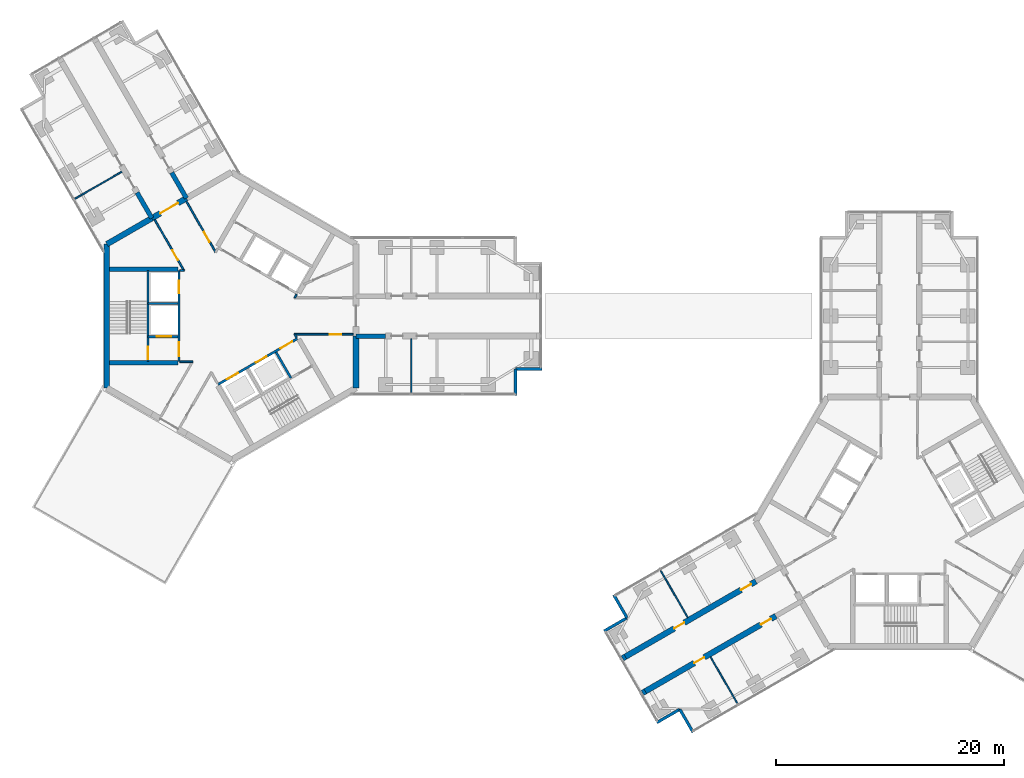
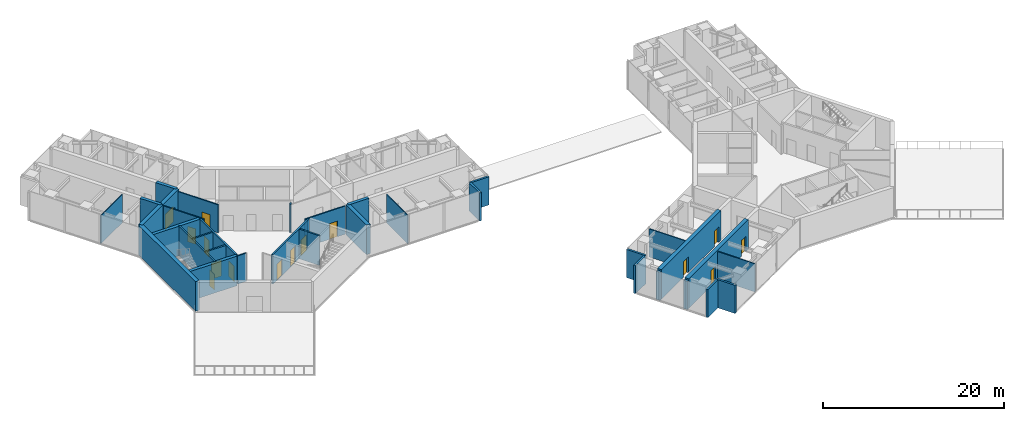
# One storey, part 12 of 18: 36 walls, 15 doors, 15 openings.
"""IFC4 building model written with IfcOpenShell, lengths in metres."""

from ifc_helpers import new_model, si_unit, direction, frame, frame_2d, origin, place, context, subcontext, project, spatial, rectangle, extrude, material, layer, layer_set, type_object, element, fill, save


model = new_model("IFC4")

# Units and contexts
model_context = context("Model", 3, precision=1e-05, world=origin(), true_north=direction((0.0, 1.0)))
body_context = subcontext(model_context, "Body", "Model", "MODEL_VIEW")
ifc_project = project(units=[si_unit("LENGTHUNIT", "METRE"), si_unit("AREAUNIT", "SQUARE_METRE"), si_unit("VOLUMEUNIT", "CUBIC_METRE"), si_unit("PLANEANGLEUNIT", "RADIAN"), si_unit("MASSUNIT", "GRAM", prefix="KILO")], contexts=[model_context])

# Site, building, storey
site_placement = place(None, origin())
site = spatial("IfcSite", under=ifc_project, at=site_placement, CompositionType="ELEMENT")
building_placement = place(site_placement, origin())
building = spatial("IfcBuilding", under=site, at=building_placement, Name="Upepo Twin Towers", CompositionType="ELEMENT")
storey_placement = place(building_placement, frame((0.0, 0.0, 170.5)))
storey = spatial("IfcBuildingStorey", under=building, at=storey_placement, Name="L41", CompositionType="ELEMENT", Elevation=170.5)

# Walls
ifc_material_1 = material(Name="Dense concrete blockwork", Category="masonry")
ifc_layer_1 = layer(ifc_material_1, 0.5)
ifc_layer_set_1 = layer_set([ifc_layer_1], Name="Buttress closer 500, blockwork with fire-stopping to the curtain wall")
wall_type_1 = type_object("IfcWallType", Name="Buttress closer 500, blockwork with fire-stopping to the curtain wall", PredefinedType="PARTITIONING", material=ifc_layer_set_1)
for number, where, z_axis, x_axis, name in (
    (1, (36.252197265625, -32.865478515625, 0.0), (0.0, 0.0, 1.0), (-0.86598763626, -0.500065409566, 0.0), "T2 L41 wing B buttress closer L"),
    (2, (34.502197265625, -29.83447265625, 0.0), (0.0, 0.0, 1.0), (-0.86598763626, -0.500065409566, 0.0), "T2 L41 wing B buttress closer R"),
):
    element("IfcWall", number, at=place(storey_placement, frame(where, z_axis=z_axis, x_axis=x_axis)), inside=storey, type_object=wall_type_1, Name=name, PredefinedType="PARTITIONING", context=body_context, shape_type="SweptSolid", body=[
        extrude(rectangle(XDim=0.28759765625, YDim=0.5, at=frame_2d((0.143798828125, 0.0))), origin(), (0.0, 0.0, 1.0), 3.800048828125),
    ])
ifc_material_2 = material(Name="Concrete C60/75", Category="concrete")
ifc_layer_2 = layer(ifc_material_2, 0.39990234375)
ifc_layer_set_2 = layer_set([ifc_layer_2], Name="Concrete C60/75")
wall_type_2 = type_object("IfcWallType", Name="Buttress wall 400 RC", PredefinedType="SHEAR", material=ifc_layer_set_2)
wall_1_placement = place(storey_placement, frame((10.908447265625, -1.75, 0.0), z_axis=(0.0, 0.0, 1.0), x_axis=(1.0, 0.0, 0.0)))
element("IfcWall", 3, at=wall_1_placement, inside=storey, type_object=wall_type_2, Name="T1 wing A buttress wall R", PredefinedType="SHEAR", context=body_context, shape_type="SweptSolid", body=[
    extrude(rectangle(XDim=2.591552734375, YDim=0.39990234375, at=frame_2d((1.2958984375, 0.0))), origin(), (0.0, 0.0, 1.0), 4.0),
])
for number, where, z_axis, x_axis, name in (
    (4, (-6.9697265625, 8.57177734375, 0.0), (0.0, 0.0, 1.0), (-0.499988811324, 0.866031863473, 0.0), "T1 wing B buttress wall L"),
    (5, (-3.938720703125, 10.32177734375, 0.0), (0.0, 0.0, 1.0), (-0.499918158782, 0.866072649678, 0.0), "T1 wing B buttress wall R"),
):
    element("IfcWall", number, at=place(storey_placement, frame(where, z_axis=z_axis, x_axis=x_axis)), inside=storey, type_object=wall_type_2, Name=name, PredefinedType="SHEAR", context=body_context, shape_type="SweptSolid", body=[
        extrude(rectangle(XDim=2.591796875, YDim=0.39990234375, at=frame_2d((1.2958984375, 0.0))), origin(), (0.0, 0.0, 1.0), 4.0),
    ])

# Wall, openings, doors
ifc_material_3 = material(Name="Concrete C60/75", Category="concrete")
ifc_layer_3 = layer(ifc_material_3, 0.5)
ifc_layer_set_3 = layer_set([ifc_layer_3], Name="Concrete C60/75")
wall_type_3 = type_object("IfcWallType", Name="Buttress wall 500 RC", PredefinedType="SHEAR", material=ifc_layer_set_3)
wall_2_placement = place(storey_placement, frame((47.68359375, -26.265625, 0.0), z_axis=(0.0, 0.0, 1.0), x_axis=(-0.866027579429, -0.499996231654, 0.0)))
wall_2 = element("IfcWall", 6, at=wall_2_placement, inside=storey, type_object=wall_type_3, Name="T2 wing B buttress wall L part 2", PredefinedType="SHEAR", context=body_context, shape_type="SweptSolid", body=[
    extrude(rectangle(XDim=13.19970703125, YDim=0.5, at=frame_2d((6.599853515625, 0.0))), origin(), (0.0, 0.0, 1.0), 4.0),
])
opening_1_placement = place(wall_2_placement, frame((0.5, 0.0, 0.0)))
opening_1 = element("IfcOpeningElement", 7, at=opening_1_placement, cuts=wall_2, Name="Opening D15", PredefinedType="OPENING", context=body_context, shape_type="SweptSolid", body=[
    extrude(rectangle(XDim=1.0, YDim=2.10009765625, at=frame_2d((0.5, 1.050048828125))), frame((0.0, 0.260009765625, 0.0), z_axis=(0.0, -1.0, 0.0), x_axis=(1.0, 0.0, 0.0)), (0.0, 0.0, 1.0), 0.52001953125),
])
opening_2_placement = place(wall_2_placement, frame((7.25, 0.0, 0.0)))
opening_2 = element("IfcOpeningElement", 8, at=opening_2_placement, cuts=wall_2, Name="Opening D15", PredefinedType="OPENING", context=body_context, shape_type="SweptSolid", body=[
    extrude(rectangle(XDim=1.0, YDim=2.10009765625, at=frame_2d((0.5, 1.050048828125))), frame((0.0, 0.260009765625, 0.0), z_axis=(0.0, -1.0, 0.0), x_axis=(1.0, 0.0, 0.0)), (0.0, 0.0, 1.0), 0.52001953125),
])
ifc_material_4 = material(Name="Timber doorset", Category="wood")
door_type_1 = type_object("IfcDoorType", Name="Glazed door 1000 FD30", OperationType="SINGLE_SWING_LEFT", PredefinedType="DOOR", material=ifc_material_4)
door_1_placement = place(opening_1_placement, origin())
door_1 = element("IfcDoor", 9, at=door_1_placement, inside=storey, type_object=door_type_1, Name="T2 L41 postgraduate research office door", OperationType="SINGLE_SWING_LEFT", OverallHeight=2.10009765625, OverallWidth=1.0, PredefinedType="DOOR", context=body_context, shape_type="SweptSolid", body=[
    extrude(rectangle(XDim=1.0, YDim=2.10009765625, at=frame_2d((0.5, 1.050048828125))), frame((0.0, 0.02490234375, 0.0), z_axis=(0.0, -1.0, 0.0), x_axis=(1.0, 0.0, 0.0)), (0.0, 0.0, 1.0), 0.050048828125),
])
fill(opening_1, door_1)
door_2_placement = place(opening_2_placement, origin())
door_2 = element("IfcDoor", 10, at=door_2_placement, inside=storey, type_object=door_type_1, Name="T2 L41 faculty office door", OperationType="SINGLE_SWING_RIGHT", OverallHeight=2.10009765625, OverallWidth=1.0, PredefinedType="DOOR", context=body_context, shape_type="SweptSolid", body=[
    extrude(rectangle(XDim=1.0, YDim=2.10009765625, at=frame_2d((0.5, 1.050048828125))), frame((0.0, 0.02490234375, 0.0), z_axis=(0.0, -1.0, 0.0), x_axis=(1.0, 0.0, 0.0)), (0.0, 0.0, 1.0), 0.050048828125),
])
fill(opening_2, door_2)

wall_3_placement = place(storey_placement, frame((45.93359375, -23.234375, 0.0), z_axis=(0.0, 0.0, 1.0), x_axis=(-0.866019570528, -0.500010103361, 0.0)))
wall_3 = element("IfcWall", 11, at=wall_3_placement, inside=storey, type_object=wall_type_3, Name="T2 wing B buttress wall R part 2", PredefinedType="SHEAR", context=body_context, shape_type="SweptSolid", body=[
    extrude(rectangle(XDim=13.199951171875, YDim=0.5, at=frame_2d((6.60009765625, 0.0))), origin(), (0.0, 0.0, 1.0), 4.0),
])
opening_3_placement = place(wall_3_placement, frame((0.5, 0.0, 0.0)))
opening_3 = element("IfcOpeningElement", 12, at=opening_3_placement, cuts=wall_3, Name="Opening D15", PredefinedType="OPENING", context=body_context, shape_type="SweptSolid", body=[
    extrude(rectangle(XDim=1.0, YDim=2.10009765625, at=frame_2d((0.5, 1.050048828125))), frame((0.0, 0.260009765625, 0.0), z_axis=(0.0, -1.0, 0.0), x_axis=(1.0, 0.0, 0.0)), (0.0, 0.0, 1.0), 0.52001953125),
])
opening_4_placement = place(wall_3_placement, frame((7.25, 0.0, 0.0)))
opening_4 = element("IfcOpeningElement", 13, at=opening_4_placement, cuts=wall_3, Name="Opening D15", PredefinedType="OPENING", context=body_context, shape_type="SweptSolid", body=[
    extrude(rectangle(XDim=1.0, YDim=2.10009765625, at=frame_2d((0.5, 1.050048828125))), frame((0.0, 0.260009765625, 0.0), z_axis=(0.0, -1.0, 0.0), x_axis=(1.0, 0.0, 0.0)), (0.0, 0.0, 1.0), 0.52001953125),
])
door_3_placement = place(opening_3_placement, origin())
door_3 = element("IfcDoor", 14, at=door_3_placement, inside=storey, type_object=door_type_1, Name="T2 L41 postgraduate research office door", OperationType="SINGLE_SWING_LEFT", OverallHeight=2.10009765625, OverallWidth=1.0, PredefinedType="DOOR", context=body_context, shape_type="SweptSolid", body=[
    extrude(rectangle(XDim=1.0, YDim=2.10009765625, at=frame_2d((0.5, 1.050048828125))), frame((0.0, 0.02490234375, 0.0), z_axis=(0.0, -1.0, 0.0), x_axis=(1.0, 0.0, 0.0)), (0.0, 0.0, 1.0), 0.050048828125),
])
fill(opening_3, door_3)
door_4_placement = place(opening_4_placement, origin())
door_4 = element("IfcDoor", 15, at=door_4_placement, inside=storey, type_object=door_type_1, Name="T2 L41 faculty office door", OperationType="SINGLE_SWING_RIGHT", OverallHeight=2.10009765625, OverallWidth=1.0, PredefinedType="DOOR", context=body_context, shape_type="SweptSolid", body=[
    extrude(rectangle(XDim=1.0, YDim=2.10009765625, at=frame_2d((0.5, 1.050048828125))), frame((0.0, 0.02490234375, 0.0), z_axis=(0.0, -1.0, 0.0), x_axis=(1.0, 0.0, 0.0)), (0.0, 0.0, 1.0), 0.050048828125),
])
fill(opening_4, door_4)

# Wall
ifc_material_5 = material(Name="Concrete C60/75", Category="concrete")
ifc_layer_4 = layer(ifc_material_5, 0.5)
ifc_layer_set_4 = layer_set([ifc_layer_4], Name="Concrete C60/75")
wall_type_4 = type_object("IfcWallType", Name="Core wall 500 RC", PredefinedType="SHEAR", material=ifc_layer_set_4)
wall_4_placement = place(storey_placement, frame((10.908447265625, -6.2978515625, 0.0), z_axis=(0.0, 0.0, 1.0), x_axis=(0.0, 1.0, 0.0)))
element("IfcWall", 16, at=wall_4_placement, inside=storey, type_object=wall_type_4, Name="T1 core wall 000 R", PredefinedType="SHEAR", context=body_context, shape_type="SweptSolid", body=[
    extrude(rectangle(XDim=4.5478515625, YDim=0.5, at=frame_2d((2.27392578125, 0.0))), origin(), (0.0, 0.0, 1.0), 4.0),
])

# Wall, opening, door
wall_5_placement = place(storey_placement, frame((-3.938720703125, 10.32177734375, 0.0), z_axis=(0.0, 0.0, 1.0), x_axis=(-0.866019471182, -0.500010275428, 0.0)))
wall_5 = element("IfcWall", 17, at=wall_5_placement, inside=storey, type_object=wall_type_4, Name="T1 core wall 120", PredefinedType="SHEAR", context=body_context, shape_type="SweptSolid", body=[
    extrude(rectangle(XDim=3.5, YDim=0.5, at=frame_2d((1.75, 0.0))), origin(), (0.0, 0.0, 1.0), 4.0),
])
opening_5_placement = place(wall_5_placement, frame((0.85009765625, 0.0, 0.0)))
opening_5 = element("IfcOpeningElement", 18, at=opening_5_placement, cuts=wall_5, Name="Opening D2", PredefinedType="OPENING", context=body_context, shape_type="SweptSolid", body=[
    extrude(rectangle(XDim=1.800048828125, YDim=2.10009765625, at=frame_2d((0.89990234375, 1.050048828125))), frame((0.0, 0.260009765625, 0.0), z_axis=(0.0, -1.0, 0.0), x_axis=(1.0, 0.0, 0.0)), (0.0, 0.0, 1.0), 0.52001953125),
])
ifc_material_6 = material(Name="Timber doorset", Category="wood")
door_type_2 = type_object("IfcDoorType", Name="Corridor double door 1800 FD60", OperationType="DOUBLE_DOOR_DOUBLE_SWING", PredefinedType="DOOR", material=ifc_material_6)
door_5_placement = place(opening_5_placement, origin())
door_5 = element("IfcDoor", 19, at=door_5_placement, inside=storey, type_object=door_type_2, Name="T1 L41 wing B corridor door", OperationType="DOUBLE_DOOR_DOUBLE_SWING", OverallHeight=2.10009765625, OverallWidth=1.800048828125, PredefinedType="DOOR", context=body_context, shape_type="SweptSolid", body=[
    extrude(rectangle(XDim=1.800048828125, YDim=2.10009765625, at=frame_2d((0.89990234375, 1.050048828125))), frame((0.0, 0.02490234375, 0.0), z_axis=(0.0, -1.0, 0.0), x_axis=(1.0, 0.0, 0.0)), (0.0, 0.0, 1.0), 0.050048828125),
])
fill(opening_5, door_5)

# Walls
wall_6_placement = place(storey_placement, frame((-6.9697265625, 8.57177734375, 0.0), z_axis=(0.0, 0.0, 1.0), x_axis=(-0.866034513004, -0.499984222037, 0.0)))
element("IfcWall", 20, at=wall_6_placement, inside=storey, type_object=wall_type_4, Name="T1 core wall 120 L", PredefinedType="SHEAR", context=body_context, shape_type="SweptSolid", body=[
    extrude(rectangle(XDim=4.548095703125, YDim=0.5, at=frame_2d((2.27392578125, 0.0))), origin(), (0.0, 0.0, 1.0), 4.0),
])
wall_7_placement = place(storey_placement, frame((-10.908447265625, 6.2978515625, 0.0), z_axis=(0.0, 0.0, 1.0), x_axis=(0.0, -1.0, 0.0)))
element("IfcWall", 21, at=wall_7_placement, inside=storey, type_object=wall_type_4, Name="T1 core wall 180", PredefinedType="SHEAR", context=body_context, shape_type="SweptSolid", body=[
    extrude(rectangle(XDim=12.595703125, YDim=0.5, at=frame_2d((6.2978515625, 0.0))), origin(), (0.0, 0.0, 1.0), 4.0),
])
ifc_material_7 = material(Name="Laminated glass in an aluminium frame", Category="aluminium")
ifc_layer_5 = layer(ifc_material_7, 0.1201171875)
ifc_layer_set_5 = layer_set([ifc_layer_5], Name="Glazed partition 120, aluminium framed")
wall_type_5 = type_object("IfcWallType", Name="Glazed partition 120, aluminium framed", PredefinedType="PARTITIONING", material=ifc_layer_set_5)
wall_8_placement = place(storey_placement, frame((15.75, -2.0, 0.0), z_axis=(0.0, 0.0, 1.0), x_axis=(0.0, -1.0, 0.0)))
element("IfcWall", 22, at=wall_8_placement, inside=storey, type_object=wall_type_5, Name="T1 partition AR at 15.75", PredefinedType="PARTITIONING", context=body_context, shape_type="SweptSolid", body=[
    extrude(rectangle(XDim=4.75, YDim=0.1201171875, at=frame_2d((2.375, 0.0))), origin(), (0.0, 0.0, 1.0), 3.800048828125),
])
for number, where, z_axis, x_axis, name in (
    (23, (-9.60693359375, 12.639892578125, 0.0), (0.0, 0.0, 1.0), (-0.866033238375, -0.499986429846, 0.0), "T1 partition BL at 15.75"),
    (24, (41.962890625, -29.85693359375, 0.0), (0.0, 0.0, 1.0), (0.499986429846, -0.866033238375, 0.0), "T2 partition BL at 20.25"),
    (25, (39.962890625, -26.39306640625, 0.0), (0.0, 0.0, 1.0), (-0.499986429846, 0.866033238375, 0.0), "T2 partition BR at 20.25"),
):
    element("IfcWall", number, at=place(storey_placement, frame(where, z_axis=z_axis, x_axis=x_axis)), inside=storey, type_object=wall_type_5, Name=name, PredefinedType="PARTITIONING", context=body_context, shape_type="SweptSolid", body=[
        extrude(rectangle(XDim=4.750244140625, YDim=0.1201171875, at=frame_2d((2.375, 0.0))), origin(), (0.0, 0.0, 1.0), 3.800048828125),
    ])
ifc_material_8 = material(Name="Blockwork with anodised aluminium cladding", Category="masonry")
ifc_layer_6 = layer(ifc_material_8, 0.25)
ifc_layer_set_6 = layer_set([ifc_layer_6], Name="Notch cladding wall 250, pale metal")
wall_type_6 = type_object("IfcWallType", Name="Notch cladding wall 250, pale metal", PredefinedType="STANDARD", material=ifc_layer_set_6)
for number, where, z_axis, x_axis, name in (
    (26, (24.875, -6.949951171875, 0.0), (0.0, 0.0, 1.0), (0.0, 1.0, 0.0), "T1 L41 wing A notch wall R1"),
    (27, (24.875, -4.625, 0.0), (0.0, 0.0, 1.0), (1.0, 0.0, 0.0), "T1 L41 wing A notch wall R2"),
    (28, (40.4326171875, -36.456298828125, 0.0), (0.0, 0.0, 1.0), (-0.500046648681, 0.865998469481, 0.0), "T2 L41 wing B notch wall L1"),
    (29, (39.27001953125, -34.44287109375, 0.0), (0.0, 0.0, 1.0), (-0.865998469481, -0.500046648681, 0.0), "T2 L41 wing B notch wall L2"),
    (30, (33.482666015625, -24.418701171875, 0.0), (0.0, 0.0, 1.0), (0.499967891604, -0.866043940782, 0.0), "T2 L41 wing B notch wall R1"),
    (31, (34.64501953125, -26.43212890625, 0.0), (0.0, 0.0, 1.0), (-0.865998469481, -0.500046648681, 0.0), "T2 L41 wing B notch wall R2"),
):
    element("IfcWall", number, at=place(storey_placement, frame(where, z_axis=z_axis, x_axis=x_axis)), inside=storey, type_object=wall_type_6, Name=name, PredefinedType="STANDARD", context=body_context, shape_type="SweptSolid", body=[
        extrude(rectangle(XDim=2.324951171875, YDim=0.25, at=frame_2d((1.16259765625, 0.0))), origin(), (0.0, 0.0, 1.0), 3.800048828125),
    ])

# Wall, openings, doors
ifc_material_9 = material(Name="Concrete C40/50", Category="concrete")
ifc_layer_7 = layer(ifc_material_9, 0.199951171875)
ifc_layer_set_7 = layer_set([ifc_layer_7], Name="Concrete C40/50")
wall_type_7 = type_object("IfcWallType", Name="Shaft wall 200 RC", PredefinedType="SHEAR", material=ifc_layer_set_7)
wall_9_placement = place(storey_placement, frame((-4.60009765625, 4.0, 0.0), z_axis=(0.0, 0.0, 1.0), x_axis=(0.0, -1.0, 0.0)))
wall_9 = element("IfcWall", 32, at=wall_9_placement, inside=storey, type_object=wall_type_7, Name="T1 core W180 front wall", PredefinedType="SHEAR", context=body_context, shape_type="SweptSolid", body=[
    extrude(rectangle(XDim=8.0, YDim=0.199951171875, at=frame_2d((4.0, 0.0))), origin(), (0.0, 0.0, 1.0), 4.0),
])
opening_6_placement = place(wall_9_placement, frame((6.300048828125, 0.0, 0.0)))
opening_6 = element("IfcOpeningElement", 33, at=opening_6_placement, cuts=wall_9, Name="Opening D4", PredefinedType="OPENING", context=body_context, shape_type="SweptSolid", body=[
    extrude(rectangle(XDim=1.199951171875, YDim=2.10009765625, at=frame_2d((0.60009765625, 1.050048828125))), frame((0.0, 0.10986328125, 0.0), z_axis=(0.0, -1.0, 0.0), x_axis=(1.0, 0.0, 0.0)), (0.0, 0.0, 1.0), 0.219970703125),
])
opening_7_placement = place(wall_9_placement, frame((0.89990234375, 0.0, 0.0)))
opening_7 = element("IfcOpeningElement", 34, at=opening_7_placement, cuts=wall_9, Name="Opening LD1", PredefinedType="OPENING", context=body_context, shape_type="SweptSolid", body=[
    extrude(rectangle(XDim=1.10009765625, YDim=2.199951171875, at=frame_2d((0.550048828125, 1.10009765625))), frame((0.0, 0.10986328125, 0.0), z_axis=(0.0, -1.0, 0.0), x_axis=(1.0, 0.0, 0.0)), (0.0, 0.0, 1.0), 0.219970703125),
])
ifc_material_10 = material(Name="Steel doorset", Category="steel")
door_type_3 = type_object("IfcDoorType", Name="Lift landing door 1100", OperationType="DOUBLE_DOOR_SLIDING", PredefinedType="DOOR", material=ifc_material_10)
door_6_placement = place(opening_7_placement, origin())
door_6 = element("IfcDoor", 35, at=door_6_placement, inside=storey, type_object=door_type_3, Name="T1 L41 lift SV1 landing door", OperationType="DOUBLE_DOOR_SLIDING", OverallHeight=2.199951171875, OverallWidth=1.10009765625, PredefinedType="DOOR", context=body_context, shape_type="SweptSolid", body=[
    extrude(rectangle(XDim=1.10009765625, YDim=2.199951171875, at=frame_2d((0.550048828125, 1.10009765625))), frame((0.0, 0.02490234375, 0.0), z_axis=(0.0, -1.0, 0.0), x_axis=(1.0, 0.0, 0.0)), (0.0, 0.0, 1.0), 0.050048828125),
])
fill(opening_7, door_6)
ifc_material_11 = material(Name="Timber doorset", Category="wood")
door_type_4 = type_object("IfcDoorType", Name="Lobby door 1200 FD60", OperationType="SINGLE_SWING_LEFT", PredefinedType="DOOR", material=ifc_material_11)
door_7_placement = place(opening_6_placement, origin())
door_7 = element("IfcDoor", 36, at=door_7_placement, inside=storey, type_object=door_type_4, Name="T1 L41 W180 lobby door", OperationType="SINGLE_SWING_RIGHT", OverallHeight=2.10009765625, OverallWidth=1.199951171875, PredefinedType="DOOR", context=body_context, shape_type="SweptSolid", body=[
    extrude(rectangle(XDim=1.199951171875, YDim=2.10009765625, at=frame_2d((0.60009765625, 1.050048828125))), frame((0.0, 0.02490234375, 0.0), z_axis=(0.0, -1.0, 0.0), x_axis=(1.0, 0.0, 0.0)), (0.0, 0.0, 1.0), 0.050048828125),
])
fill(opening_6, door_7)

# Wall
wall_10_placement = place(storey_placement, frame((-4.699951171875, 1.10009765625, 0.0), z_axis=(0.0, 0.0, 1.0), x_axis=(-1.0, 0.0, 0.0)))
element("IfcWall", 37, at=wall_10_placement, inside=storey, type_object=wall_type_7, Name="T1 core W180 shaft divider", PredefinedType="SHEAR", context=body_context, shape_type="SweptSolid", body=[
    extrude(rectangle(XDim=2.60009765625, YDim=0.199951171875, at=frame_2d((1.300048828125, 0.0))), origin(), (0.0, 0.0, 1.0), 4.0),
])

# Wall, opening, door
wall_11_placement = place(storey_placement, frame((-4.699951171875, -1.800048828125, 0.0), z_axis=(0.0, 0.0, 1.0), x_axis=(-1.0, 0.0, 0.0)))
wall_11 = element("IfcWall", 38, at=wall_11_placement, inside=storey, type_object=wall_type_7, Name="T1 core W180 lobby wall", PredefinedType="SHEAR", context=body_context, shape_type="SweptSolid", body=[
    extrude(rectangle(XDim=2.60009765625, YDim=0.199951171875, at=frame_2d((1.300048828125, 0.0))), origin(), (0.0, 0.0, 1.0), 4.0),
])
opening_8_placement = place(wall_11_placement, frame((0.550048828125, 0.0, 0.0)))
opening_8 = element("IfcOpeningElement", 39, at=opening_8_placement, cuts=wall_11, Name="Opening LD2", PredefinedType="OPENING", context=body_context, shape_type="SweptSolid", body=[
    extrude(rectangle(XDim=1.300048828125, YDim=2.199951171875, at=frame_2d((0.64990234375, 1.10009765625))), frame((0.0, 0.10986328125, 0.0), z_axis=(0.0, -1.0, 0.0), x_axis=(1.0, 0.0, 0.0)), (0.0, 0.0, 1.0), 0.219970703125),
])
ifc_material_12 = material(Name="Steel doorset", Category="steel")
door_type_5 = type_object("IfcDoorType", Name="Firefighting lift landing door 1300", OperationType="DOUBLE_DOOR_SLIDING", PredefinedType="DOOR", material=ifc_material_12)
door_8_placement = place(opening_8_placement, origin())
door_8 = element("IfcDoor", 40, at=door_8_placement, inside=storey, type_object=door_type_5, Name="T1 L41 firefighting lift landing door", OperationType="DOUBLE_DOOR_SLIDING", OverallHeight=2.199951171875, OverallWidth=1.300048828125, PredefinedType="DOOR", context=body_context, shape_type="SweptSolid", body=[
    extrude(rectangle(XDim=1.300048828125, YDim=2.199951171875, at=frame_2d((0.64990234375, 1.10009765625))), frame((0.0, 0.02490234375, 0.0), z_axis=(0.0, -1.0, 0.0), x_axis=(1.0, 0.0, 0.0)), (0.0, 0.0, 1.0), 0.050048828125),
])
fill(opening_8, door_8)

wall_12_placement = place(storey_placement, frame((-7.300048828125, 4.0, 0.0), z_axis=(0.0, 0.0, 1.0), x_axis=(0.0, -1.0, 0.0)))
wall_12 = element("IfcWall", 41, at=wall_12_placement, inside=storey, type_object=wall_type_7, Name="T1 core W180 stair wall", PredefinedType="SHEAR", context=body_context, shape_type="SweptSolid", body=[
    extrude(rectangle(XDim=8.0, YDim=0.199951171875, at=frame_2d((4.0, 0.0))), origin(), (0.0, 0.0, 1.0), 4.0),
])
opening_9_placement = place(wall_12_placement, frame((6.699951171875, 0.0, 0.0)))
opening_9 = element("IfcOpeningElement", 42, at=opening_9_placement, cuts=wall_12, Name="Opening D3", PredefinedType="OPENING", context=body_context, shape_type="SweptSolid", body=[
    extrude(rectangle(XDim=1.10009765625, YDim=2.10009765625, at=frame_2d((0.550048828125, 1.050048828125))), frame((0.0, 0.10986328125, 0.0), z_axis=(0.0, -1.0, 0.0), x_axis=(1.0, 0.0, 0.0)), (0.0, 0.0, 1.0), 0.219970703125),
])
ifc_material_13 = material(Name="Timber doorset", Category="wood")
door_type_6 = type_object("IfcDoorType", Name="Stair door 1100 FD60", OperationType="SINGLE_SWING_LEFT", PredefinedType="DOOR", material=ifc_material_13)
door_9_placement = place(opening_9_placement, origin())
door_9 = element("IfcDoor", 43, at=door_9_placement, inside=storey, type_object=door_type_6, Name="T1 L41 stair door", OperationType="SINGLE_SWING_RIGHT", OverallHeight=2.10009765625, OverallWidth=1.10009765625, PredefinedType="DOOR", context=body_context, shape_type="SweptSolid", body=[
    extrude(rectangle(XDim=1.10009765625, YDim=2.10009765625, at=frame_2d((0.550048828125, 1.050048828125))), frame((0.0, 0.02490234375, 0.0), z_axis=(0.0, -1.0, 0.0), x_axis=(1.0, 0.0, 0.0)), (0.0, 0.0, 1.0), 0.050048828125),
])
fill(opening_9, door_9)

# Wall, openings, doors
wall_13_placement = place(storey_placement, frame((-1.1640625, -5.983642578125, 0.0), z_axis=(0.0, 0.0, 1.0), x_axis=(0.866026010844, 0.49999894854, 0.0)))
wall_13 = element("IfcWall", 44, at=wall_13_placement, inside=storey, type_object=wall_type_7, Name="T1 core W300 front wall", PredefinedType="SHEAR", context=body_context, shape_type="SweptSolid", body=[
    extrude(rectangle(XDim=8.0, YDim=0.199951171875, at=frame_2d((4.0, 0.0))), origin(), (0.0, 0.0, 1.0), 4.0),
])
opening_10_placement = place(wall_13_placement, frame((6.300048828125, 0.0, 0.0)))
opening_10 = element("IfcOpeningElement", 45, at=opening_10_placement, cuts=wall_13, Name="Opening D4", PredefinedType="OPENING", context=body_context, shape_type="SweptSolid", body=[
    extrude(rectangle(XDim=1.199951171875, YDim=2.10009765625, at=frame_2d((0.60009765625, 1.050048828125))), frame((0.0, 0.10986328125, 0.0), z_axis=(0.0, -1.0, 0.0), x_axis=(1.0, 0.0, 0.0)), (0.0, 0.0, 1.0), 0.219970703125),
])
opening_11_placement = place(wall_13_placement, frame((0.89990234375, 0.0, 0.0)))
opening_11 = element("IfcOpeningElement", 46, at=opening_11_placement, cuts=wall_13, Name="Opening LD1", PredefinedType="OPENING", context=body_context, shape_type="SweptSolid", body=[
    extrude(rectangle(XDim=1.10009765625, YDim=2.199951171875, at=frame_2d((0.550048828125, 1.10009765625))), frame((0.0, 0.10986328125, 0.0), z_axis=(0.0, -1.0, 0.0), x_axis=(1.0, 0.0, 0.0)), (0.0, 0.0, 1.0), 0.219970703125),
])
opening_12_placement = place(wall_13_placement, frame((3.800048828125, 0.0, 0.0)))
opening_12 = element("IfcOpeningElement", 47, at=opening_12_placement, cuts=wall_13, Name="Opening LD1", PredefinedType="OPENING", context=body_context, shape_type="SweptSolid", body=[
    extrude(rectangle(XDim=1.10009765625, YDim=2.199951171875, at=frame_2d((0.550048828125, 1.10009765625))), frame((0.0, 0.10986328125, 0.0), z_axis=(0.0, -1.0, 0.0), x_axis=(1.0, 0.0, 0.0)), (0.0, 0.0, 1.0), 0.219970703125),
])
door_10_placement = place(opening_11_placement, origin())
door_10 = element("IfcDoor", 48, at=door_10_placement, inside=storey, type_object=door_type_3, Name="T1 L41 lift UL1 landing door", OperationType="DOUBLE_DOOR_SLIDING", OverallHeight=2.199951171875, OverallWidth=1.10009765625, PredefinedType="DOOR", context=body_context, shape_type="SweptSolid", body=[
    extrude(rectangle(XDim=1.10009765625, YDim=2.199951171875, at=frame_2d((0.550048828125, 1.10009765625))), frame((0.0, 0.02490234375, 0.0), z_axis=(0.0, -1.0, 0.0), x_axis=(1.0, 0.0, 0.0)), (0.0, 0.0, 1.0), 0.050048828125),
])
fill(opening_11, door_10)
door_11_placement = place(opening_12_placement, origin())
door_11 = element("IfcDoor", 49, at=door_11_placement, inside=storey, type_object=door_type_3, Name="T1 L41 lift UL2 landing door", OperationType="DOUBLE_DOOR_SLIDING", OverallHeight=2.199951171875, OverallWidth=1.10009765625, PredefinedType="DOOR", context=body_context, shape_type="SweptSolid", body=[
    extrude(rectangle(XDim=1.10009765625, YDim=2.199951171875, at=frame_2d((0.550048828125, 1.10009765625))), frame((0.0, 0.02490234375, 0.0), z_axis=(0.0, -1.0, 0.0), x_axis=(1.0, 0.0, 0.0)), (0.0, 0.0, 1.0), 0.050048828125),
])
fill(opening_12, door_11)
door_12_placement = place(opening_10_placement, origin())
door_12 = element("IfcDoor", 50, at=door_12_placement, inside=storey, type_object=door_type_4, Name="T1 L41 W300 lobby door", OperationType="SINGLE_SWING_RIGHT", OverallHeight=2.10009765625, OverallWidth=1.199951171875, PredefinedType="DOOR", context=body_context, shape_type="SweptSolid", body=[
    extrude(rectangle(XDim=1.199951171875, YDim=2.10009765625, at=frame_2d((0.60009765625, 1.050048828125))), frame((0.0, 0.02490234375, 0.0), z_axis=(0.0, -1.0, 0.0), x_axis=(1.0, 0.0, 0.0)), (0.0, 0.0, 1.0), 0.050048828125),
])
fill(opening_10, door_12)

# Walls
wall_14_placement = place(storey_placement, frame((3.908935546875, -3.17041015625, 0.0), z_axis=(0.0, 0.0, 1.0), x_axis=(0.49997716683, -0.86603858612, 0.0)))
element("IfcWall", 51, at=wall_14_placement, inside=storey, type_object=wall_type_7, Name="T1 core W300 lobby wall", PredefinedType="SHEAR", context=body_context, shape_type="SweptSolid", body=[
    extrude(rectangle(XDim=2.599609375, YDim=0.199951171875, at=frame_2d((1.2998046875, 0.0))), origin(), (0.0, 0.0, 1.0), 4.0),
])
ifc_material_14 = material(Name="Concrete C40/50", Category="concrete")
ifc_layer_8 = layer(ifc_material_14, 0.39990234375)
ifc_layer_set_8 = layer_set([ifc_layer_8], Name="Concrete C40/50")
wall_type_8 = type_object("IfcWallType", Name="Shaft wall 400 RC", PredefinedType="SHEAR", material=ifc_layer_set_8)
for number, where, z_axis, x_axis, name in (
    (52, (-4.699951171875, -4.10009765625, 0.0), (0.0, 0.0, 1.0), (-1.0, 0.0, 0.0), "T1 core W180 side wall N"),
    (53, (-4.699951171875, 4.10009765625, 0.0), (0.0, 0.0, 1.0), (-1.0, 0.0, 0.0), "T1 core W180 side wall S"),
):
    element("IfcWall", number, at=place(storey_placement, frame(where, z_axis=z_axis, x_axis=x_axis)), inside=storey, type_object=wall_type_8, Name=name, PredefinedType="SHEAR", context=body_context, shape_type="SweptSolid", body=[
        extrude(rectangle(XDim=5.95849609375, YDim=0.39990234375, at=frame_2d((2.979248046875, 0.0))), origin(), (0.0, 0.0, 1.0), 4.0),
    ])
ifc_material_15 = material(Name="Gypsum board on steel studs", Category="steel")
ifc_layer_9 = layer(ifc_material_15, 0.14990234375)
ifc_layer_set_9 = layer_set([ifc_layer_9], Name="Teaching partition 150 acoustic")
wall_type_9 = type_object("IfcWallType", Name="Teaching partition 150 acoustic", PredefinedType="PARTITIONING", material=ifc_layer_set_9)
wall_15_placement = place(storey_placement, frame((-3.386474609375, -4.0, 0.0), z_axis=(0.0, 0.0, 1.0), x_axis=(-1.0, 0.0, 0.0)))
element("IfcWall", 54, at=wall_15_placement, inside=storey, type_object=wall_type_9, Name="T1 core room partition 4", PredefinedType="PARTITIONING", context=body_context, shape_type="SweptSolid", body=[
    extrude(rectangle(XDim=1.12353515625, YDim=0.14990234375, at=frame_2d((0.561767578125, 0.0))), origin(), (0.0, 0.0, 1.0), 3.800048828125),
])
wall_16_placement = place(storey_placement, frame((-4.510009765625, 4.0, 0.0), z_axis=(0.0, 0.0, 1.0), x_axis=(1.0, 0.0, 0.0)))
element("IfcWall", 55, at=wall_16_placement, inside=storey, type_object=wall_type_9, Name="T1 core room partition 5", PredefinedType="PARTITIONING", context=body_context, shape_type="SweptSolid", body=[
    extrude(rectangle(XDim=0.373046875, YDim=0.14990234375, at=frame_2d((0.1865234375, 0.0))), origin(), (0.0, 0.0, 1.0), 3.800048828125),
])

# Wall, opening, door
wall_17_placement = place(storey_placement, frame((-4.14697265625, 3.982666015625, 0.0), z_axis=(0.0, 0.0, 1.0), x_axis=(-0.499986674824, 0.866033096941, 0.0)))
wall_17 = element("IfcWall", 56, at=wall_17_placement, inside=storey, type_object=wall_type_9, Name="T1 core room partition 6", PredefinedType="PARTITIONING", context=body_context, shape_type="SweptSolid", body=[
    extrude(rectangle(XDim=5.145751953125, YDim=0.14990234375, at=frame_2d((2.57275390625, 0.0))), origin(), (0.0, 0.0, 1.0), 3.800048828125),
])
opening_13_placement = place(wall_17_placement, frame((1.057861328125, 0.0, 0.0)))
opening_13 = element("IfcOpeningElement", 57, at=opening_13_placement, cuts=wall_17, Name="Opening D1", PredefinedType="OPENING", context=body_context, shape_type="SweptSolid", body=[
    extrude(rectangle(XDim=1.0, YDim=2.10009765625, at=frame_2d((0.5, 1.050048828125))), frame((0.0, 0.0849609375, 0.0), z_axis=(0.0, -1.0, 0.0), x_axis=(1.0, 0.0, 0.0)), (0.0, 0.0, 1.0), 0.169921875),
])
ifc_material_16 = material(Name="Timber doorset", Category="wood")
door_type_7 = type_object("IfcDoorType", Name="Room door 1000 FD30", OperationType="SINGLE_SWING_LEFT", PredefinedType="DOOR", material=ifc_material_16)
door_13_placement = place(opening_13_placement, origin())
door_13 = element("IfcDoor", 58, at=door_13_placement, inside=storey, type_object=door_type_7, Name="T1 L41 core room door K7", OperationType="SINGLE_SWING_LEFT", OverallHeight=2.10009765625, OverallWidth=1.0, PredefinedType="DOOR", context=body_context, shape_type="SweptSolid", body=[
    extrude(rectangle(XDim=1.0, YDim=2.10009765625, at=frame_2d((0.5, 1.050048828125))), frame((0.0, 0.02490234375, 0.0), z_axis=(0.0, -1.0, 0.0), x_axis=(1.0, 0.0, 0.0)), (0.0, 0.0, 1.0), 0.050048828125),
])
fill(opening_13, door_13)

wall_18_placement = place(storey_placement, frame((-3.948486328125, 10.0390625, 0.0), z_axis=(0.0, 0.0, 1.0), x_axis=(0.500022258742, -0.866012552312, 0.0)))
wall_18 = element("IfcWall", 59, at=wall_18_placement, inside=storey, type_object=wall_type_9, Name="T1 core room partition 7", PredefinedType="PARTITIONING", context=body_context, shape_type="SweptSolid", body=[
    extrude(rectangle(XDim=5.145751953125, YDim=0.14990234375, at=frame_2d((2.57275390625, 0.0))), origin(), (0.0, 0.0, 1.0), 3.800048828125),
])
opening_14_placement = place(wall_18_placement, frame((3.087890625, 0.0, 0.0)))
opening_14 = element("IfcOpeningElement", 60, at=opening_14_placement, cuts=wall_18, Name="Opening D1", PredefinedType="OPENING", context=body_context, shape_type="SweptSolid", body=[
    extrude(rectangle(XDim=1.0, YDim=2.10009765625, at=frame_2d((0.5, 1.050048828125))), frame((0.0, 0.0849609375, 0.0), z_axis=(0.0, -1.0, 0.0), x_axis=(1.0, 0.0, 0.0)), (0.0, 0.0, 1.0), 0.169921875),
])
door_14_placement = place(opening_14_placement, origin())
door_14 = element("IfcDoor", 61, at=door_14_placement, inside=storey, type_object=door_type_7, Name="T1 L41 core room door K6", OperationType="SINGLE_SWING_RIGHT", OverallHeight=2.10009765625, OverallWidth=1.0, PredefinedType="DOOR", context=body_context, shape_type="SweptSolid", body=[
    extrude(rectangle(XDim=1.0, YDim=2.10009765625, at=frame_2d((0.5, 1.050048828125))), frame((0.0, 0.02490234375, 0.0), z_axis=(0.0, -1.0, 0.0), x_axis=(1.0, 0.0, 0.0)), (0.0, 0.0, 1.0), 0.050048828125),
])
fill(opening_14, door_14)

# Wall
wall_19_placement = place(storey_placement, frame((5.718994140625, 1.90576171875, 0.0), z_axis=(0.0, 0.0, 1.0), x_axis=(-0.499590185398, -0.866261881104, 0.0)))
element("IfcWall", 62, at=wall_19_placement, inside=storey, type_object=wall_type_9, Name="T1 core room partition 9", PredefinedType="PARTITIONING", context=body_context, shape_type="SweptSolid", body=[
    extrude(rectangle(XDim=0.372802734375, YDim=0.14990234375, at=frame_2d((0.1865234375, 0.0))), origin(), (0.0, 0.0, 1.0), 3.800048828125),
])

# Wall, opening, door
wall_20_placement = place(storey_placement, frame((10.668212890625, -1.60009765625, 0.0), z_axis=(0.0, 0.0, 1.0), x_axis=(-1.0, 0.0, 0.0)))
wall_20 = element("IfcWall", 63, at=wall_20_placement, inside=storey, type_object=wall_type_9, Name="T1 core room partition 11", PredefinedType="PARTITIONING", context=body_context, shape_type="SweptSolid", body=[
    extrude(rectangle(XDim=5.1455078125, YDim=0.14990234375, at=frame_2d((2.57275390625, 0.0))), origin(), (0.0, 0.0, 1.0), 3.800048828125),
])
opening_15_placement = place(wall_20_placement, frame((1.03759765625, 0.0, 0.0)))
opening_15 = element("IfcOpeningElement", 64, at=opening_15_placement, cuts=wall_20, Name="Opening D1", PredefinedType="OPENING", context=body_context, shape_type="SweptSolid", body=[
    extrude(rectangle(XDim=1.0, YDim=2.10009765625, at=frame_2d((0.5, 1.050048828125))), frame((0.0, 0.0849609375, 0.0), z_axis=(0.0, -1.0, 0.0), x_axis=(1.0, 0.0, 0.0)), (0.0, 0.0, 1.0), 0.169921875),
])
door_15_placement = place(opening_15_placement, origin())
door_15 = element("IfcDoor", 65, at=door_15_placement, inside=storey, type_object=door_type_7, Name="T1 L41 core room door K3", OperationType="SINGLE_SWING_LEFT", OverallHeight=2.10009765625, OverallWidth=1.0, PredefinedType="DOOR", context=body_context, shape_type="SweptSolid", body=[
    extrude(rectangle(XDim=1.0, YDim=2.10009765625, at=frame_2d((0.5, 1.050048828125))), frame((0.0, 0.02490234375, 0.0), z_axis=(0.0, -1.0, 0.0), x_axis=(1.0, 0.0, 0.0)), (0.0, 0.0, 1.0), 0.050048828125),
])
fill(opening_15, door_15)

# Wall
wall_21_placement = place(storey_placement, frame((5.53271484375, -1.582763671875, 0.0), z_axis=(0.0, 0.0, 1.0), x_axis=(0.499590185398, -0.866261881104, 0.0)))
element("IfcWall", 66, at=wall_21_placement, inside=storey, type_object=wall_type_9, Name="T1 core room partition 12", PredefinedType="PARTITIONING", context=body_context, shape_type="SweptSolid", body=[
    extrude(rectangle(XDim=0.372802734375, YDim=0.14990234375, at=frame_2d((0.1865234375, 0.0))), origin(), (0.0, 0.0, 1.0), 3.800048828125),
])

save(model, "model.ifc")
